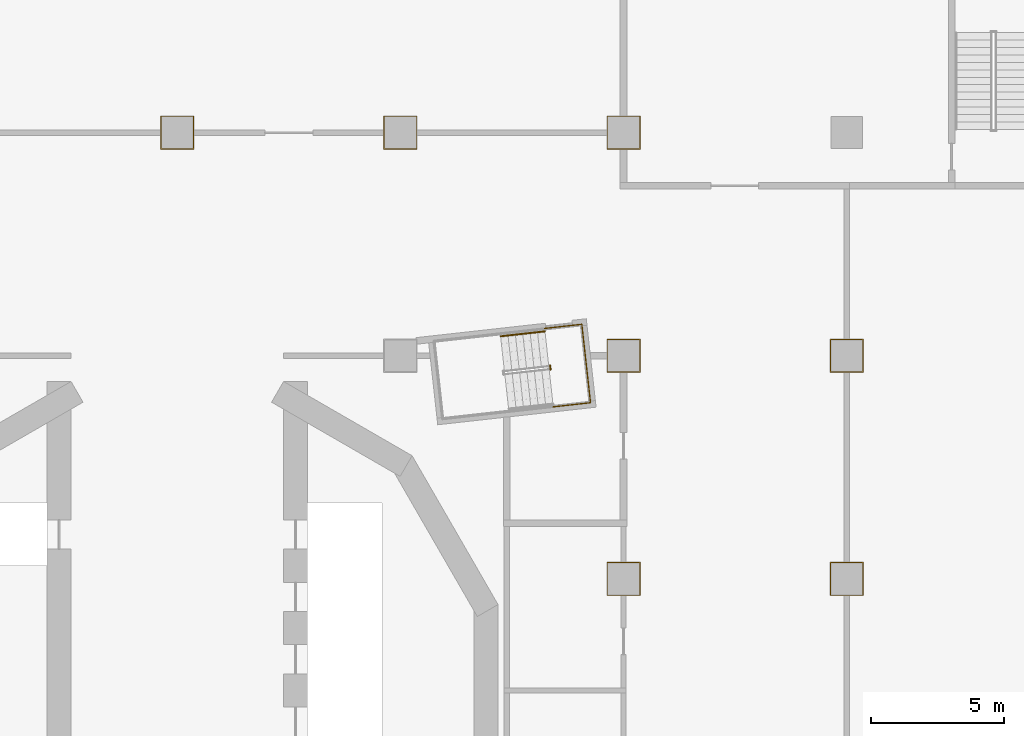
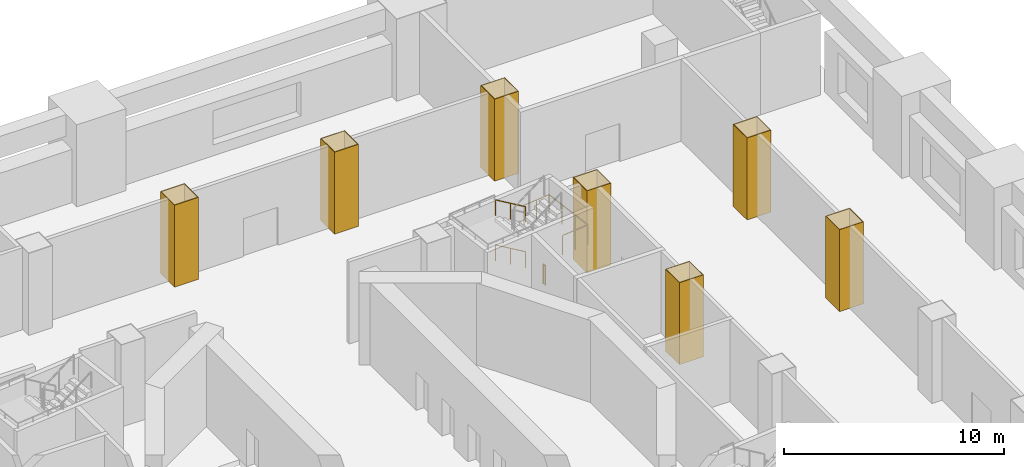
# One storey, part 14 of 17: 7 coverings, 4 railings.
"""IFC4 building model written with IfcOpenShell, lengths in metres."""

from ifc_helpers import new_model, si_unit, direction, frame, origin, origin_2d, place, context, subcontext, project, spatial, polyline, circle, outline, extrude, material, layer, layer_set, type_object, element, save


model = new_model("IFC4")

# Units and contexts
model_context = context("Model", 3, precision=1e-05, world=origin(), true_north=direction((0.0, 1.0)))
body_context = subcontext(model_context, "Body", "Model", "MODEL_VIEW")
ifc_project = project(units=[si_unit("LENGTHUNIT", "METRE"), si_unit("AREAUNIT", "SQUARE_METRE"), si_unit("VOLUMEUNIT", "CUBIC_METRE"), si_unit("PLANEANGLEUNIT", "RADIAN"), si_unit("MASSUNIT", "GRAM", prefix="KILO")], contexts=[model_context])

# Site, building, storey
site_placement = place(None, origin())
site = spatial("IfcSite", under=ifc_project, at=site_placement, CompositionType="ELEMENT")
building_placement = place(site_placement, origin())
building = spatial("IfcBuilding", under=site, at=building_placement, Name="Cantera Rosa Tower", CompositionType="ELEMENT")
storey_placement = place(building_placement, frame((0.0, 0.0, 32.0)))
storey = spatial("IfcBuildingStorey", under=building, at=storey_placement, Name="L05", CompositionType="ELEMENT", Elevation=32.0)

# Coverings
ifc_material_1 = material(Name="Plaster")
ifc_layer = layer(ifc_material_1, 0.030029296875)
ifc_layer_set = layer_set([ifc_layer], Name="Column casing 30")
covering_type = type_object("IfcCoveringType", Name="Column casing 30", PredefinedType="CLADDING", material=ifc_layer_set)
covering_1_placement = place(storey_placement, origin())
element("IfcCovering", 1, at=covering_1_placement, inside=storey, type_object=covering_type, Name="Column casing L05-019", PredefinedType="CLADDING", context=body_context, shape_type="SweptSolid", body=[
    extrude(outline(polyline([(-0.6298828125, 20.3701171875), (0.6298828125, 20.3701171875), (0.6298828125, 21.6298828125), (-0.6298828125, 21.6298828125), (-0.6298828125, 20.3701171875)]), holes=[polyline([(0.60009765625, 21.60009765625), (-0.60009765625, 21.60009765625), (-0.60009765625, 20.39990234375), (0.60009765625, 20.39990234375), (0.60009765625, 21.60009765625)])]), origin(), (0.0, 0.0, 1.0), 4.550048828125),
])
covering_2_placement = place(storey_placement, origin())
element("IfcCovering", 2, at=covering_2_placement, inside=storey, type_object=covering_type, Name="Column casing L05-023", PredefinedType="CLADDING", context=body_context, shape_type="SweptSolid", body=[
    extrude(outline(polyline([(7.77001953125, 20.3701171875), (9.030029296875, 20.3701171875), (9.030029296875, 21.6298828125), (7.77001953125, 21.6298828125), (7.77001953125, 20.3701171875)]), holes=[polyline([(9.0, 21.60009765625), (7.800048828125, 21.60009765625), (7.800048828125, 20.39990234375), (9.0, 20.39990234375), (9.0, 21.60009765625)])]), origin(), (0.0, 0.0, 1.0), 4.550048828125),
])
covering_3_placement = place(storey_placement, origin())
element("IfcCovering", 3, at=covering_3_placement, inside=storey, type_object=covering_type, Name="Column casing L05-028", PredefinedType="CLADDING", context=body_context, shape_type="SweptSolid", body=[
    extrude(outline(polyline([(16.169921875, 3.570068359375), (17.429931640625, 3.570068359375), (17.429931640625, 4.830078125), (16.169921875, 4.830078125), (16.169921875, 3.570068359375)]), holes=[polyline([(17.39990234375, 4.800048828125), (16.199951171875, 4.800048828125), (16.199951171875, 3.60009765625), (17.39990234375, 3.60009765625), (17.39990234375, 4.800048828125)])]), origin(), (0.0, 0.0, 1.0), 4.550048828125),
])
covering_4_placement = place(storey_placement, origin())
element("IfcCovering", 4, at=covering_4_placement, inside=storey, type_object=covering_type, Name="Column casing L05-029", PredefinedType="CLADDING", context=body_context, shape_type="SweptSolid", body=[
    extrude(outline(polyline([(16.169921875, 11.969970703125), (17.429931640625, 11.969970703125), (17.429931640625, 13.22998046875), (16.169921875, 13.22998046875), (16.169921875, 11.969970703125)]), holes=[polyline([(17.39990234375, 13.199951171875), (16.199951171875, 13.199951171875), (16.199951171875, 12.0), (17.39990234375, 12.0), (17.39990234375, 13.199951171875)])]), origin(), (0.0, 0.0, 1.0), 4.550048828125),
])
covering_5_placement = place(storey_placement, origin())
element("IfcCovering", 5, at=covering_5_placement, inside=storey, type_object=covering_type, Name="Column casing L05-030", PredefinedType="CLADDING", context=body_context, shape_type="SweptSolid", body=[
    extrude(outline(polyline([(16.169921875, 20.3701171875), (17.429931640625, 20.3701171875), (17.429931640625, 21.6298828125), (16.169921875, 21.6298828125), (16.169921875, 20.3701171875)]), holes=[polyline([(17.39990234375, 21.60009765625), (16.199951171875, 21.60009765625), (16.199951171875, 20.39990234375), (17.39990234375, 20.39990234375), (17.39990234375, 21.60009765625)])]), origin(), (0.0, 0.0, 1.0), 4.550048828125),
])
covering_6_placement = place(storey_placement, origin())
element("IfcCovering", 6, at=covering_6_placement, inside=storey, type_object=covering_type, Name="Column casing L05-034", PredefinedType="CLADDING", context=body_context, shape_type="SweptSolid", body=[
    extrude(outline(polyline([(24.570068359375, 3.570068359375), (25.830078125, 3.570068359375), (25.830078125, 4.830078125), (24.570068359375, 4.830078125), (24.570068359375, 3.570068359375)]), holes=[polyline([(25.800048828125, 4.800048828125), (24.60009765625, 4.800048828125), (24.60009765625, 3.60009765625), (25.800048828125, 3.60009765625), (25.800048828125, 4.800048828125)])]), origin(), (0.0, 0.0, 1.0), 4.550048828125),
])
covering_7_placement = place(storey_placement, origin())
element("IfcCovering", 7, at=covering_7_placement, inside=storey, type_object=covering_type, Name="Column casing L05-035", PredefinedType="CLADDING", context=body_context, shape_type="SweptSolid", body=[
    extrude(outline(polyline([(24.570068359375, 11.969970703125), (25.830078125, 11.969970703125), (25.830078125, 13.22998046875), (24.570068359375, 13.22998046875), (24.570068359375, 11.969970703125)]), holes=[polyline([(25.800048828125, 13.199951171875), (24.60009765625, 13.199951171875), (24.60009765625, 12.0), (25.800048828125, 12.0), (25.800048828125, 13.199951171875)])]), origin(), (0.0, 0.0, 1.0), 4.550048828125),
])

# Railings
ifc_material_2 = material(Name="Steel S355J2 (EN 10025-2)", Category="steel")
railing_type_1 = type_object("IfcRailingType", Name="STAIR GUARD 1100", PredefinedType="GUARDRAIL", material=ifc_material_2)
railing_1_placement = place(storey_placement, frame((14.032958984375, 12.234375, 0.0)))
element("IfcRailing", 8, at=railing_1_placement, inside=storey, type_object=railing_type_1, Name="L05 ST-11 stair guard 5", PredefinedType="GUARDRAIL", context=body_context, shape_type="SweptSolid", body=[
    extrude(circle(Radius=0.02392578125, at=origin_2d()), frame((0.0, 0.0, 1.076171875), z_axis=(0.109179471459, -0.994022053584, 0.0), x_axis=(0.994022053584, 0.109179471459, 0.0)), (0.0, 0.0, 1.0), 0.14990234375),
    extrude(circle(Radius=0.02099609375, at=origin_2d()), origin(), (0.0, 0.0, 1.0), 1.052001953125),
    extrude(circle(Radius=0.02099609375, at=origin_2d()), frame((0.016357421875, -0.14892578125, 0.0)), (0.0, 0.0, 1.0), 1.052001953125),
])
railing_2_placement = place(storey_placement, frame((13.815673828125, 13.629150390625, 2.5)))
element("IfcRailing", 9, at=railing_2_placement, inside=storey, type_object=railing_type_1, Name="L05 ST-11 stair guard 8", PredefinedType="GUARDRAIL", context=body_context, shape_type="SweptSolid", body=[
    extrude(circle(Radius=0.02392578125, at=origin_2d()), frame((0.0, 0.0, 1.076171875), z_axis=(0.993906744489, 0.110224240795, 0.0), x_axis=(-0.110224240795, 0.993906744489, 0.0)), (0.0, 0.0, 1.0), 1.421875),
    extrude(circle(Radius=0.02392578125, at=origin_2d()), frame((1.413330078125, 0.15673828125, 1.076171875), z_axis=(0.110314237986, -0.993896759678, 0.0), x_axis=(0.993896759678, 0.110314237986, 0.0)), (0.0, 0.0, 1.0), 2.969970703125),
    extrude(circle(Radius=0.02392578125, at=origin_2d()), frame((1.740966796875, -2.795166015625, 1.076171875), z_axis=(-0.993906744489, -0.110224240795, 0.0), x_axis=(0.110224240795, -0.993906744489, 0.0)), (0.0, 0.0, 1.0), 1.421875),
    extrude(circle(Radius=0.02099609375, at=origin_2d()), origin(), (0.0, 0.0, 1.0), 1.052001953125),
    extrude(circle(Radius=0.02099609375, at=origin_2d()), frame((0.70654296875, 0.078369140625, 0.0)), (0.0, 0.0, 1.0), 1.052001953125),
    extrude(circle(Radius=0.02099609375, at=origin_2d()), frame((1.413330078125, 0.15673828125, 0.0)), (0.0, 0.0, 1.0), 1.052001953125),
    extrude(circle(Radius=0.02099609375, at=origin_2d()), frame((1.5224609375, -0.8271484375, 0.0)), (0.0, 0.0, 1.0), 1.052001953125),
    extrude(circle(Radius=0.02099609375, at=origin_2d()), frame((1.6318359375, -1.811279296875, 0.0)), (0.0, 0.0, 1.0), 1.052001953125),
    extrude(circle(Radius=0.02099609375, at=origin_2d()), frame((1.740966796875, -2.795166015625, 0.0)), (0.0, 0.0, 1.0), 1.052001953125),
    extrude(circle(Radius=0.02099609375, at=origin_2d()), frame((1.0341796875, -2.87353515625, 0.0)), (0.0, 0.0, 1.0), 1.052001953125),
    extrude(circle(Radius=0.02099609375, at=origin_2d()), frame((0.32763671875, -2.951904296875, 0.0)), (0.0, 0.0, 1.0), 1.052001953125),
])
ifc_material_3 = material(Name="Steel S355J2 (EN 10025-2)", Category="steel")
railing_type_2 = type_object("IfcRailingType", Name="STAIR HANDRAIL 900", PredefinedType="HANDRAIL", material=ifc_material_3)
for number, where, name in (
    (10, (13.83984375, 13.52099609375, 0.178466796875), "L05 ST-11 stair handrail 1"),
    (11, (13.83984375, 13.52099609375, 2.678466796875), "L05 ST-11 stair handrail 3"),
):
    element("IfcRailing", number, at=place(storey_placement, frame(where)), inside=storey, type_object=railing_type_2, Name=name, PredefinedType="HANDRAIL", context=body_context, shape_type="SweptSolid", body=[
        extrude(circle(Radius=0.02392578125, at=origin_2d()), frame((0.0, 0.0, 0.8759765625), z_axis=(-0.837987391448, -0.092987197384, 0.537708576179), x_axis=(0.11028798999, -0.993899672635, 0.0)), (0.0, 0.0, 1.0), 1.99267578125),
        extrude(circle(Radius=0.02099609375, at=origin_2d()), origin(), (0.0, 0.0, 1.0), 0.851806640625),
        extrude(circle(Radius=0.02099609375, at=origin_2d()), frame((-0.8349609375, -0.0927734375, 0.53564453125)), (0.0, 0.0, 1.0), 0.851806640625),
        extrude(circle(Radius=0.02099609375, at=origin_2d()), frame((-1.669921875, -0.185302734375, 1.071533203125)), (0.0, 0.0, 1.0), 0.851806640625),
    ])

save(model, "model.ifc")
